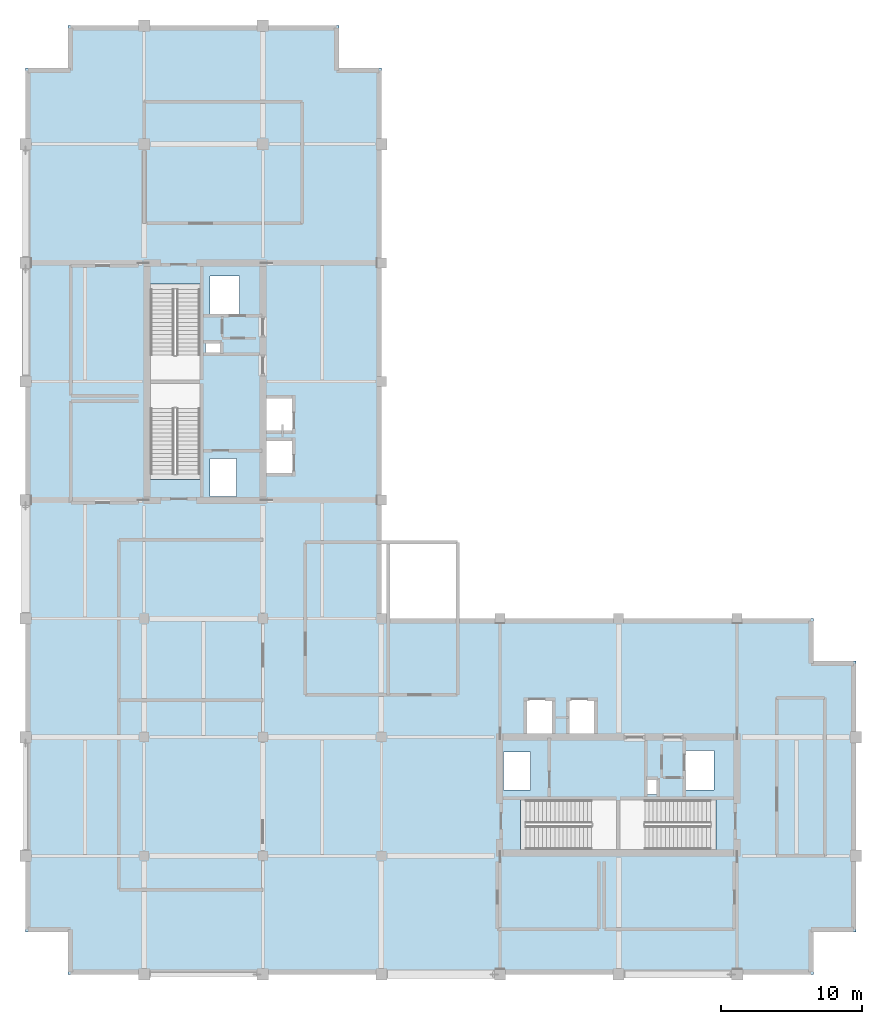
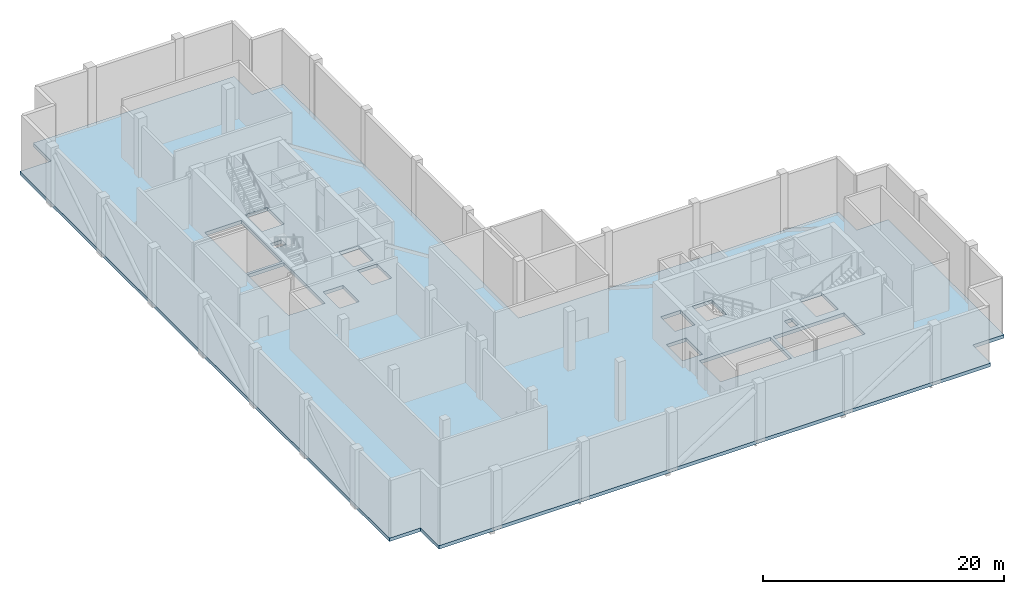
# One storey, part 4 of 14: 1 slab.
"""IFC4 building model written with IfcOpenShell, lengths in metres."""

from ifc_helpers import new_model, si_unit, direction, frame, origin, place, context, subcontext, project, spatial, polyline, outline, extrude, material, layer, layer_set, type_object, element, save


model = new_model("IFC4")

# Units and contexts
model_context = context("Model", 3, precision=1e-05, world=origin(), true_north=direction((0.0, 1.0)))
body_context = subcontext(model_context, "Body", "Model", "MODEL_VIEW")
ifc_project = project(units=[si_unit("LENGTHUNIT", "METRE"), si_unit("AREAUNIT", "SQUARE_METRE"), si_unit("VOLUMEUNIT", "CUBIC_METRE"), si_unit("PLANEANGLEUNIT", "RADIAN"), si_unit("MASSUNIT", "GRAM", prefix="KILO")], contexts=[model_context])

# Site, building, storey
site_placement = place(None, origin())
site = spatial("IfcSite", under=ifc_project, at=site_placement, CompositionType="ELEMENT")
building_placement = place(site_placement, origin())
building = spatial("IfcBuilding", under=site, at=building_placement, Name="Koriwani Terraces Tower", CompositionType="ELEMENT")
storey_placement = place(building_placement, frame((0.0, 0.0, 294.800048828125)))
storey = spatial("IfcBuildingStorey", under=building, at=storey_placement, Name="L73", CompositionType="ELEMENT", Elevation=294.800048828125)

# Slab
ifc_material = material(Name="Concrete C50/60", Category="concrete")
ifc_layer = layer(ifc_material, 0.35009765625, Name="Concrete C50/60")
ifc_layer_set = layer_set([ifc_layer], Name="Concrete C50/60")
slab_type = type_object("IfcSlabType", Name="SLAB_PODIUM_350", PredefinedType="FLOOR", material=ifc_layer_set)
slab_placement = place(storey_placement, frame((0.0, 0.0, -0.35009765625)))
element("IfcSlab", 1, at=slab_placement, inside=storey, type_object=slab_type, Name="L73 Structural Floor Slab", PredefinedType="FLOOR", context=body_context, shape_type="SweptSolid", body=[
    extrude(outline(polyline([(11.39990234375, 8.39990234375), (64.199951171875, 8.39990234375), (64.199951171875, 11.39990234375), (67.199951171875, 11.39990234375), (67.199951171875, 30.60009765625), (64.199951171875, 30.60009765625), (64.199951171875, 33.60009765625), (33.60009765625, 33.60009765625), (33.60009765625, 72.60009765625), (30.60009765625, 72.60009765625), (30.60009765625, 75.60009765625), (11.39990234375, 75.60009765625), (11.39990234375, 72.60009765625), (8.39990234375, 72.60009765625), (8.39990234375, 11.39990234375), (11.39990234375, 11.39990234375), (11.39990234375, 8.39990234375)]), holes=[polyline([(17.25, 43.4599609375), (20.75, 43.4599609375), (20.75, 50.25), (17.25, 50.25), (17.25, 43.4599609375)]), polyline([(17.25, 50.5), (20.75, 50.5), (20.75, 57.2900390625), (17.25, 57.2900390625), (17.25, 50.5)]), polyline([(43.4599609375, 17.25), (50.25, 17.25), (50.25, 20.75), (43.4599609375, 20.75), (43.4599609375, 17.25)]), polyline([(50.5, 17.25), (57.2900390625, 17.25), (57.2900390625, 20.75), (50.5, 20.75), (50.5, 17.25)]), polyline([(25.449951171875, 43.85009765625), (27.35009765625, 43.85009765625), (27.35009765625, 46.25), (25.449951171875, 46.25), (25.449951171875, 43.85009765625)]), polyline([(25.449951171875, 46.85009765625), (27.35009765625, 46.85009765625), (27.35009765625, 49.25), (25.449951171875, 49.25), (25.449951171875, 46.85009765625)]), polyline([(43.85009765625, 25.449951171875), (45.75, 25.449951171875), (45.75, 27.85009765625), (43.85009765625, 27.85009765625), (43.85009765625, 25.449951171875)]), polyline([(46.85009765625, 25.449951171875), (48.75, 25.449951171875), (48.75, 27.85009765625), (46.85009765625, 27.85009765625), (46.85009765625, 25.449951171875)]), polyline([(21.449951171875, 55.050048828125), (23.550048828125, 55.050048828125), (23.550048828125, 57.85009765625), (21.449951171875, 57.85009765625), (21.449951171875, 55.050048828125)]), polyline([(55.050048828125, 21.449951171875), (57.14990234375, 21.449951171875), (57.14990234375, 24.25), (55.050048828125, 24.25), (55.050048828125, 21.449951171875)]), polyline([(21.449951171875, 42.25), (23.35009765625, 42.25), (23.35009765625, 44.949951171875), (21.449951171875, 44.949951171875), (21.449951171875, 42.25)]), polyline([(42.25, 21.449951171875), (44.14990234375, 21.449951171875), (44.14990234375, 24.14990234375), (42.25, 24.14990234375), (42.25, 21.449951171875)]), polyline([(21.14990234375, 52.419921875), (22.219970703125, 52.419921875), (22.219970703125, 53.179931640625), (21.14990234375, 53.179931640625), (21.14990234375, 52.419921875)]), polyline([(52.419921875, 21.14990234375), (53.179931640625, 21.14990234375), (53.179931640625, 22.219970703125), (52.419921875, 22.219970703125), (52.419921875, 21.14990234375)])]), origin(), (0.0, 0.0, 1.0), 0.35009765625),
])

save(model, "model.ifc")
